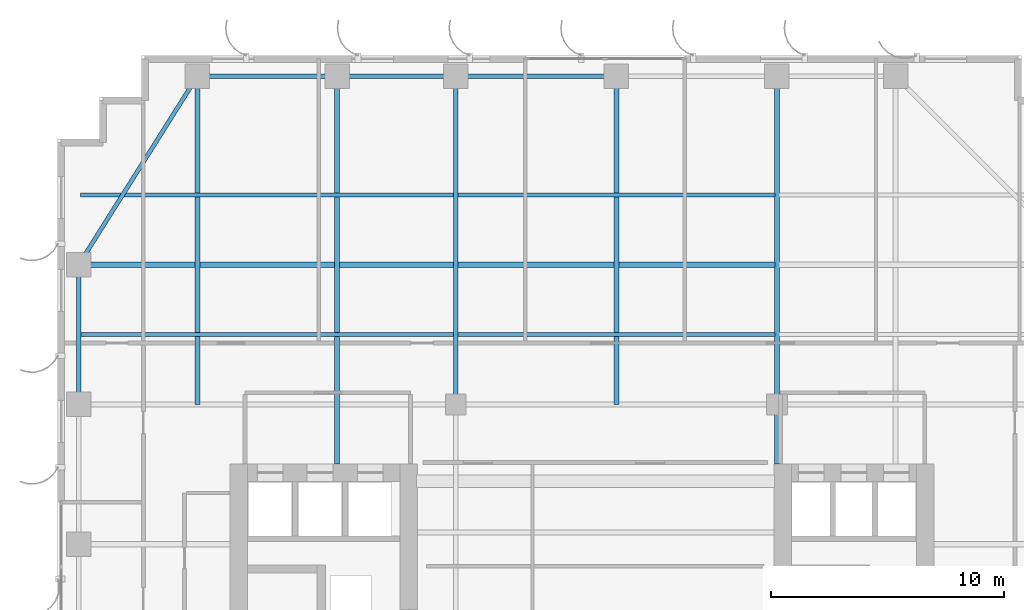
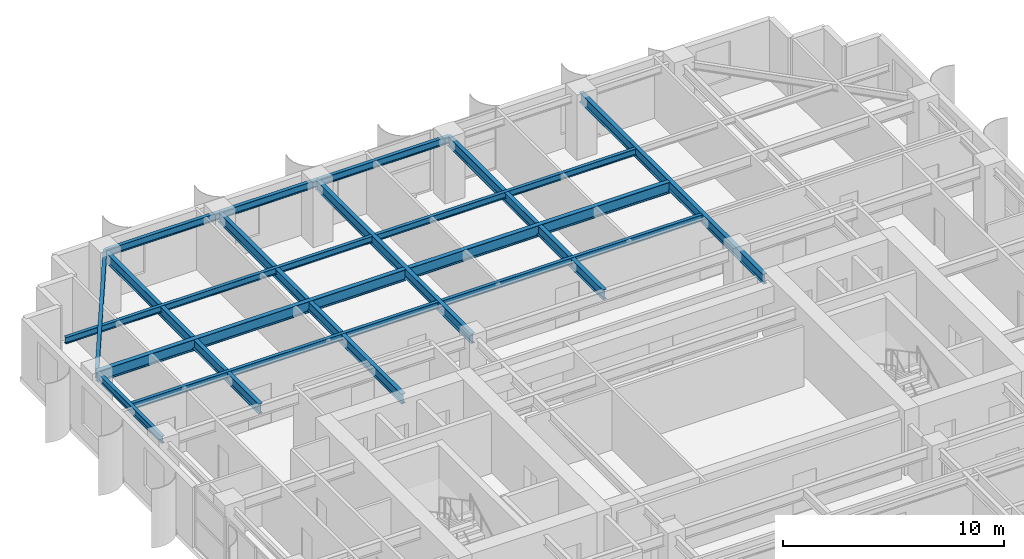
# One storey, part 13 of 22: 16 beams.
"""IFC4 building model written with IfcOpenShell, lengths in metres."""

from ifc_helpers import new_model, si_unit, direction, frame, origin, origin_2d, place, context, subcontext, project, spatial, i_section, extrude, source, transform, mapped, material, material_profile, profile_set, type_object, element, save


model = new_model("IFC4")

# Units and contexts
model_context = context("Model", 3, precision=1e-05, world=origin(), true_north=direction((0.0, 1.0)))
body_context = subcontext(model_context, "Body", "Model", "MODEL_VIEW")
ifc_project = project(units=[si_unit("LENGTHUNIT", "METRE"), si_unit("AREAUNIT", "SQUARE_METRE"), si_unit("VOLUMEUNIT", "CUBIC_METRE"), si_unit("PLANEANGLEUNIT", "RADIAN"), si_unit("MASSUNIT", "GRAM", prefix="KILO")], contexts=[model_context])

# Site, building, storey
site_placement = place(None, origin())
site = spatial("IfcSite", under=ifc_project, at=site_placement, CompositionType="ELEMENT")
building_placement = place(site_placement, origin())
building = spatial("IfcBuilding", under=site, at=building_placement, Name="Khoralis Quay Care Tower", CompositionType="ELEMENT")
storey_placement = place(building_placement, frame((0.0, 0.0, 141.300048828125)))
storey = spatial("IfcBuildingStorey", under=building, at=storey_placement, Name="L37", CompositionType="ELEMENT", Elevation=141.300048828125)

# Beams
ifc_material = material(Name="Steel S355", Category="steel")
ifc_material_profile_1 = material_profile(ifc_material, i_section(OverallWidth=0.179931640625, OverallDepth=0.39990234375, WebThickness=0.008544921875, FlangeThickness=0.013427734375, FilletRadius=0.02099609375, at=origin_2d()), Name="Steel S355")
ifc_profile_set_1 = profile_set([ifc_material_profile_1], Name="Steel S355")
beam_type_1 = type_object("IfcBeamType", Name="BM-IPE400", PredefinedType="SPANDREL", material=ifc_profile_set_1)
shared_shape_1 = source(origin(), body_context, "Body", "SweptSolid", [
    extrude(i_section(OverallWidth=0.179931640625, OverallDepth=0.39990234375, WebThickness=0.008544921875, FlangeThickness=0.013427734375, FilletRadius=0.02099609375, at=origin_2d()), origin(), (0.0, 0.0, 1.0), 6.0),
])
for number, where, z_axis, x_axis, name in (
    (1, (6.0, 44.10009765625, 3.119873046875), (1.0, 0.0, 0.0), (0.0, 1.0, 0.0), "BM-TSP-L37-06"),
    (2, (0.89990234375, 30.0, 3.119873046875), (0.0, 1.0, 0.0), (-1.0, 0.0, 0.0), "BM-TSP-L37-15"),
):
    element("IfcBeam", number, at=place(storey_placement, frame(where, z_axis=z_axis, x_axis=x_axis)), inside=storey, type_object=beam_type_1, Name=name, PredefinedType="SPANDREL", context=body_context, shape_type="MappedRepresentation", body=[
        mapped(shared_shape_1, transform((0.0, 0.0, 0.0), scale=1.0)),
    ])
shared_shape_2 = source(origin(), body_context, "Body", "SweptSolid", [
    extrude(i_section(OverallWidth=0.179931640625, OverallDepth=0.39990234375, WebThickness=0.008544921875, FlangeThickness=0.013427734375, FilletRadius=0.02099609375, at=origin_2d()), origin(), (0.0, 0.0, 1.0), 5.10009765625),
])
beam_1_placement = place(storey_placement, frame((12.0, 44.10009765625, 3.119873046875), z_axis=(1.0, 0.0, 0.0), x_axis=(0.0, 1.0, 0.0)))
element("IfcBeam", 3, at=beam_1_placement, inside=storey, type_object=beam_type_1, Name="BM-TSP-L37-07", PredefinedType="SPANDREL", context=body_context, shape_type="MappedRepresentation", body=[
    mapped(shared_shape_2, transform((0.0, 0.0, 0.0), scale=1.0)),
])
shared_shape_3 = source(origin(), body_context, "Body", "SweptSolid", [
    extrude(i_section(OverallWidth=0.179931640625, OverallDepth=0.39990234375, WebThickness=0.008544921875, FlangeThickness=0.013427734375, FilletRadius=0.02099609375, at=origin_2d()), origin(), (0.0, 0.0, 1.0), 6.89990234375),
])
beam_2_placement = place(storey_placement, frame((17.10009765625, 44.10009765625, 3.119873046875), z_axis=(1.0, 0.0, 0.0), x_axis=(0.0, 1.0, 0.0)))
element("IfcBeam", 4, at=beam_2_placement, inside=storey, type_object=beam_type_1, Name="BM-TSP-L37-08", PredefinedType="SPANDREL", context=body_context, shape_type="MappedRepresentation", body=[
    mapped(shared_shape_3, transform((0.0, 0.0, 0.0), scale=1.0)),
])
shared_shape_4 = source(origin(), body_context, "Body", "SweptSolid", [
    extrude(i_section(OverallWidth=0.179931640625, OverallDepth=0.39990234375, WebThickness=0.008544921875, FlangeThickness=0.013427734375, FilletRadius=0.02099609375, at=origin_2d()), origin(), (0.0, 0.0, 1.0), 9.572021484375),
])
beam_3_placement = place(storey_placement, frame((6.0, 44.10009765625, 3.119873046875), z_axis=(-0.532815975602, -0.846231136359, 0.0), x_axis=(0.846231136359, -0.532815975602, 0.0)))
element("IfcBeam", 5, at=beam_3_placement, inside=storey, type_object=beam_type_1, Name="BM-TCR-L37-23", PredefinedType="SPANDREL", context=body_context, shape_type="MappedRepresentation", body=[
    mapped(shared_shape_4, transform((0.0, 0.0, 0.0), scale=1.0)),
])
ifc_material_profile_2 = material_profile(ifc_material, i_section(OverallWidth=0.22998046875, OverallDepth=0.616943359375, WebThickness=0.01318359375, FlangeThickness=0.022216796875, FilletRadius=0.01806640625, at=origin_2d()), Name="Steel S355")
ifc_profile_set_2 = profile_set([ifc_material_profile_2], Name="Steel S355")
beam_type_2 = type_object("IfcBeamType", Name="BM-W610X140", PredefinedType="BEAM", material=ifc_profile_set_2)
shared_shape_5 = source(origin(), body_context, "Body", "SweptSolid", [
    extrude(i_section(OverallWidth=0.22998046875, OverallDepth=0.616943359375, WebThickness=0.01318359375, FlangeThickness=0.022216796875, FilletRadius=0.01806640625, at=origin_2d()), origin(), (0.0, 0.0, 1.0), 16.106201171875),
])
beam_4_placement = place(storey_placement, frame((0.89990234375, 36.0, 3.011474609375), z_axis=(1.0, 0.0, 0.0), x_axis=(0.0, 1.0, 0.0)))
element("IfcBeam", 6, at=beam_4_placement, inside=storey, type_object=beam_type_2, Name="BM-TGXW-L37-360", PredefinedType="BEAM", context=body_context, shape_type="MappedRepresentation", body=[
    mapped(shared_shape_5, transform((0.0, 0.0, 0.0), scale=1.0)),
])
shared_shape_6 = source(origin(), body_context, "Body", "SweptSolid", [
    extrude(i_section(OverallWidth=0.22998046875, OverallDepth=0.616943359375, WebThickness=0.01318359375, FlangeThickness=0.022216796875, FilletRadius=0.01806640625, at=origin_2d()), origin(), (0.0, 0.0, 1.0), 13.61181640625),
])
beam_5_placement = place(storey_placement, frame((17.194091796875, 36.0, 3.011474609375), z_axis=(1.0, 0.0, 0.0), x_axis=(0.0, 1.0, 0.0)))
element("IfcBeam", 7, at=beam_5_placement, inside=storey, type_object=beam_type_2, Name="BM-TGCC-L37-360", PredefinedType="BEAM", context=body_context, shape_type="MappedRepresentation", body=[
    mapped(shared_shape_6, transform((0.0, 0.0, 0.0), scale=1.0)),
])
ifc_material_profile_3 = material_profile(ifc_material, i_section(OverallWidth=0.2119140625, OverallDepth=0.5439453125, WebThickness=0.01318359375, FlangeThickness=0.021240234375, FilletRadius=0.01611328125, at=origin_2d()), Name="Steel S355")
ifc_profile_set_3 = profile_set([ifc_material_profile_3], Name="Steel S355")
beam_type_3 = type_object("IfcBeamType", Name="BM-W530X123", PredefinedType="BEAM", material=ifc_profile_set_3)
shared_shape_7 = source(origin(), body_context, "Body", "SweptSolid", [
    extrude(i_section(OverallWidth=0.2119140625, OverallDepth=0.5439453125, WebThickness=0.01318359375, FlangeThickness=0.021240234375, FilletRadius=0.01611328125, at=origin_2d()), origin(), (0.0, 0.0, 1.0), 14.10009765625),
])
for number, where, z_axis, x_axis, name in (
    (8, (6.0, 30.0, 3.0478515625), (0.0, 1.0, 0.0), (-1.0, 0.0, 0.0), "BM-TGYN-L37-60"),
    (9, (17.10009765625, 30.0, 3.0478515625), (0.0, 1.0, 0.0), (-1.0, 0.0, 0.0), "BM-TGYN-L37-171"),
    (10, (24.0, 30.0, 3.0478515625), (0.0, 1.0, 0.0), (-1.0, 0.0, 0.0), "BM-TGYN-L37-240"),
):
    element("IfcBeam", number, at=place(storey_placement, frame(where, z_axis=z_axis, x_axis=x_axis)), inside=storey, type_object=beam_type_3, Name=name, PredefinedType="BEAM", context=body_context, shape_type="MappedRepresentation", body=[
        mapped(shared_shape_7, transform((0.0, 0.0, 0.0), scale=1.0)),
    ])
shared_shape_8 = source(origin(), body_context, "Body", "SweptSolid", [
    extrude(i_section(OverallWidth=0.2119140625, OverallDepth=0.5439453125, WebThickness=0.01318359375, FlangeThickness=0.021240234375, FilletRadius=0.01611328125, at=origin_2d()), origin(), (0.0, 0.0, 1.0), 16.652099609375),
])
for number, where, z_axis, x_axis, name in (
    (11, (12.0, 27.447998046875, 3.0478515625), (0.0, 1.0, 0.0), (-1.0, 0.0, 0.0), "BM-TGYN-L37-120"),
    (12, (30.89990234375, 27.447998046875, 3.0478515625), (0.0, 1.0, 0.0), (-1.0, 0.0, 0.0), "BM-TGYN-L37-309"),
):
    element("IfcBeam", number, at=place(storey_placement, frame(where, z_axis=z_axis, x_axis=x_axis)), inside=storey, type_object=beam_type_3, Name=name, PredefinedType="BEAM", context=body_context, shape_type="MappedRepresentation", body=[
        mapped(shared_shape_8, transform((0.0, 0.0, 0.0), scale=1.0)),
    ])
ifc_material_profile_4 = material_profile(ifc_material, i_section(OverallWidth=0.1708984375, OverallDepth=0.35498046875, WebThickness=0.007080078125, FlangeThickness=0.01171875, FilletRadius=0.012939453125, at=origin_2d()), Name="Steel S355")
ifc_profile_set_4 = profile_set([ifc_material_profile_4], Name="Steel S355")
beam_type_4 = type_object("IfcBeamType", Name="BM-W360X51", PredefinedType="JOIST", material=ifc_profile_set_4)
shared_shape_9 = source(origin(), body_context, "Body", "SweptSolid", [
    extrude(i_section(OverallWidth=0.1708984375, OverallDepth=0.35498046875, WebThickness=0.007080078125, FlangeThickness=0.01171875, FilletRadius=0.012939453125, at=origin_2d()), origin(), (0.0, 0.0, 1.0), 16.030029296875),
])
for number, where, z_axis, x_axis, name in (
    (13, (0.97607421875, 33.0, 3.142333984375), (1.0, 0.0, 0.0), (0.0, 1.0, 0.0), "BM-TJS-L37-28"),
    (14, (0.97607421875, 39.0, 3.142333984375), (1.0, 0.0, 0.0), (0.0, 1.0, 0.0), "BM-TJS-L37-31"),
):
    element("IfcBeam", number, at=place(storey_placement, frame(where, z_axis=z_axis, x_axis=x_axis)), inside=storey, type_object=beam_type_4, Name=name, PredefinedType="JOIST", context=body_context, shape_type="MappedRepresentation", body=[
        mapped(shared_shape_9, transform((0.0, 0.0, 0.0), scale=1.0)),
    ])
shared_shape_10 = source(origin(), body_context, "Body", "SweptSolid", [
    extrude(i_section(OverallWidth=0.1708984375, OverallDepth=0.35498046875, WebThickness=0.007080078125, FlangeThickness=0.01171875, FilletRadius=0.012939453125, at=origin_2d()), origin(), (0.0, 0.0, 1.0), 13.61181640625),
])
for number, where, z_axis, x_axis, name in (
    (15, (17.194091796875, 33.0, 3.142333984375), (1.0, 0.0, 0.0), (0.0, 1.0, 0.0), "BM-TJS-L37-30"),
    (16, (17.194091796875, 39.0, 3.142333984375), (1.0, 0.0, 0.0), (0.0, 1.0, 0.0), "BM-TJS-L37-33"),
):
    element("IfcBeam", number, at=place(storey_placement, frame(where, z_axis=z_axis, x_axis=x_axis)), inside=storey, type_object=beam_type_4, Name=name, PredefinedType="JOIST", context=body_context, shape_type="MappedRepresentation", body=[
        mapped(shared_shape_10, transform((0.0, 0.0, 0.0), scale=1.0)),
    ])

save(model, "model.ifc")
